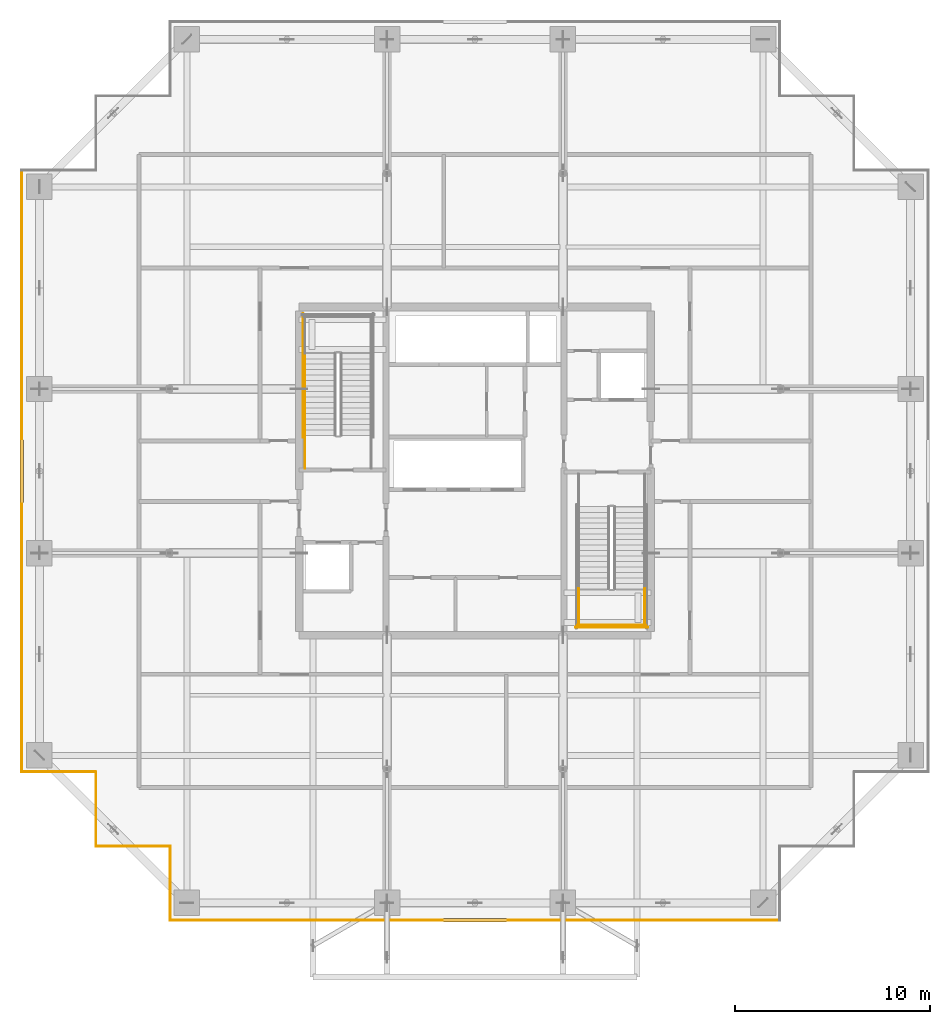
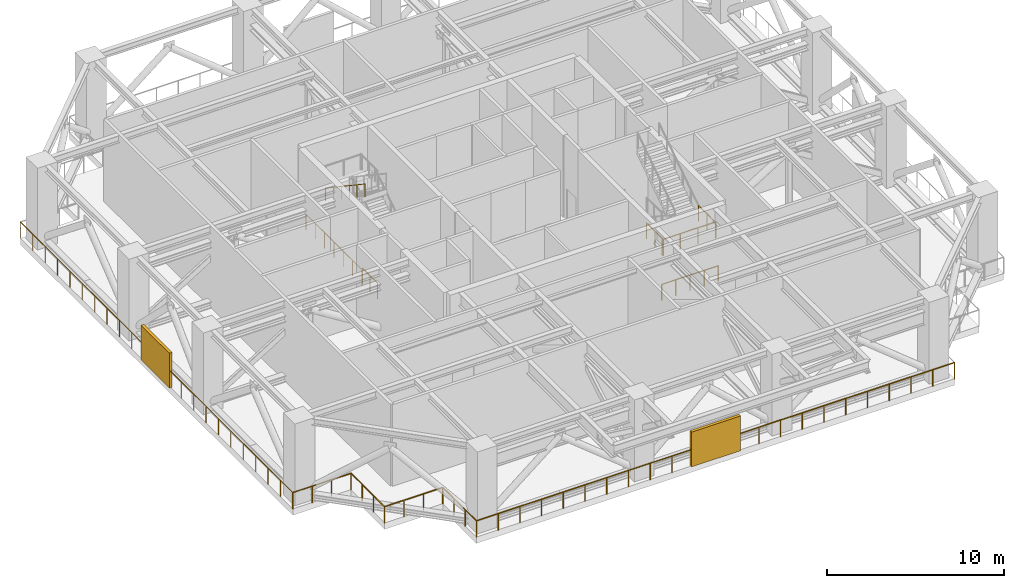
# One storey, part 20 of 22: 13 railings, 2 shading devices.
"""IFC4 building model written with IfcOpenShell, lengths in metres."""

from ifc_helpers import new_model, si_unit, direction, frame, origin, origin_2d, place, context, subcontext, project, spatial, rectangle, circle, extrude, source, transform, mapped, material, type_object, element, save


model = new_model("IFC4")

# Units and contexts
model_context = context("Model", 3, precision=1e-05, world=origin(), true_north=direction((0.0, 1.0)))
body_context = subcontext(model_context, "Body", "Model", "MODEL_VIEW")
ifc_project = project(units=[si_unit("LENGTHUNIT", "METRE"), si_unit("AREAUNIT", "SQUARE_METRE"), si_unit("VOLUMEUNIT", "CUBIC_METRE"), si_unit("PLANEANGLEUNIT", "RADIAN"), si_unit("MASSUNIT", "GRAM", prefix="KILO")], contexts=[model_context])

# Site, building, storey
site_placement = place(None, origin())
site = spatial("IfcSite", under=ifc_project, at=site_placement, CompositionType="ELEMENT")
building_placement = place(site_placement, origin())
building = spatial("IfcBuilding", under=site, at=building_placement, Name="Serunith Strait Residences", CompositionType="ELEMENT")
storey_placement = place(building_placement, frame((0.0, 0.0, 198.89990234375)))
storey = spatial("IfcBuildingStorey", under=building, at=storey_placement, Name="L50", CompositionType="ELEMENT", Elevation=198.89990234375)

# Railings
ifc_material_1 = material(Name="Brushed stainless steel 316L", Category="steel")
railing_type_1 = type_object("IfcRailingType", Name="RLG-STAIR-GUARD", PredefinedType="BALUSTRADE", material=ifc_material_1)
railing_1_placement = place(storey_placement, frame((23.699951171875, 25.35009765625, 0.0)))
element("IfcRailing", 1, at=railing_1_placement, inside=storey, type_object=railing_type_1, Name="L50 ST-1 stair guard 9", PredefinedType="BALUSTRADE", context=body_context, shape_type="SweptSolid", body=[
    extrude(circle(Radius=0.02392578125, at=origin_2d()), frame((0.0, 0.001953125, 1.076171875), z_axis=(0.0, 1.0, 0.0), x_axis=(-1.0, 0.0, 0.0)), (0.0, 0.0, 1.0), 1.676025390625),
    extrude(circle(Radius=0.02099609375, at=origin_2d()), origin(), (0.0, 0.0, 1.0), 1.050048828125),
    extrude(circle(Radius=0.02099609375, at=origin_2d()), frame((0.0, 0.83984375, 0.0)), (0.0, 0.0, 1.0), 1.050048828125),
    extrude(circle(Radius=0.02099609375, at=origin_2d()), frame((0.0, 1.679931640625, 0.0)), (0.0, 0.0, 1.0), 1.050048828125),
])
railing_2_placement = place(storey_placement, frame((23.60009765625, 26.929931640625, 0.0)))
element("IfcRailing", 2, at=railing_2_placement, inside=storey, type_object=railing_type_1, Name="L50 ST-1 stair guard 11", PredefinedType="BALUSTRADE", context=body_context, shape_type="SweptSolid", body=[
    extrude(circle(Radius=0.02392578125, at=origin_2d()), frame((0.0, 0.001953125, 1.076171875), z_axis=(0.0, 1.0, 0.0), x_axis=(-1.0, 0.0, 0.0)), (0.0, 0.0, 1.0), 6.316162109375),
    extrude(circle(Radius=0.02099609375, at=origin_2d()), origin(), (0.0, 0.0, 1.0), 1.050048828125),
    extrude(circle(Radius=0.02099609375, at=origin_2d()), frame((0.0, 1.05322265625, 0.0)), (0.0, 0.0, 1.0), 1.050048828125),
    extrude(circle(Radius=0.02099609375, at=origin_2d()), frame((0.0, 2.106689453125, 0.0)), (0.0, 0.0, 1.0), 1.050048828125),
    extrude(circle(Radius=0.02099609375, at=origin_2d()), frame((0.0, 3.16015625, 0.0)), (0.0, 0.0, 1.0), 1.050048828125),
    extrude(circle(Radius=0.02099609375, at=origin_2d()), frame((0.0, 4.21337890625, 0.0)), (0.0, 0.0, 1.0), 1.050048828125),
    extrude(circle(Radius=0.02099609375, at=origin_2d()), frame((0.0, 5.2666015625, 0.0)), (0.0, 0.0, 1.0), 1.050048828125),
    extrude(circle(Radius=0.02099609375, at=origin_2d()), frame((0.0, 6.320068359375, 0.0)), (0.0, 0.0, 1.0), 1.050048828125),
])
for number, where, name in (
    (3, (37.699951171875, 19.169921875, 3.0), "L50 ST-2 stair guard 3"),
    (4, (41.10009765625, 19.169921875, 3.0), "L50 ST-2 stair guard 4"),
):
    element("IfcRailing", number, at=place(storey_placement, frame(where)), inside=storey, type_object=railing_type_1, Name=name, PredefinedType="BALUSTRADE", context=body_context, shape_type="SweptSolid", body=[
        extrude(circle(Radius=0.02392578125, at=origin_2d()), frame((0.0, -0.001953125, 1.076171875), z_axis=(0.0, -1.0, 0.0), x_axis=(1.0, 0.0, 0.0)), (0.0, 0.0, 1.0), 1.916015625),
        extrude(circle(Radius=0.02099609375, at=origin_2d()), origin(), (0.0, 0.0, 1.0), 1.050048828125),
        extrude(circle(Radius=0.02099609375, at=origin_2d()), frame((0.0, -0.9599609375, 0.0)), (0.0, 0.0, 1.0), 1.050048828125),
        extrude(circle(Radius=0.02099609375, at=origin_2d()), frame((0.0, -1.919921875, 0.0)), (0.0, 0.0, 1.0), 1.050048828125),
    ])
railing_3_placement = place(storey_placement, frame((37.64990234375, 17.300048828125, 3.0)))
element("IfcRailing", 5, at=railing_3_placement, inside=storey, type_object=railing_type_1, Name="L50 ST-2 stair guard 5", PredefinedType="BALUSTRADE", context=body_context, shape_type="SweptSolid", body=[
    extrude(circle(Radius=0.02392578125, at=origin_2d()), frame((0.001953125, 0.0, 1.076171875), z_axis=(1.0, 0.0, 0.0), x_axis=(0.0, 1.0, 0.0)), (0.0, 0.0, 1.0), 3.49609375),
    extrude(circle(Radius=0.02099609375, at=origin_2d()), origin(), (0.0, 0.0, 1.0), 1.050048828125),
    extrude(circle(Radius=0.02099609375, at=origin_2d()), frame((1.166748046875, 0.0, 0.0)), (0.0, 0.0, 1.0), 1.050048828125),
    extrude(circle(Radius=0.02099609375, at=origin_2d()), frame((2.333251953125, 0.0, 0.0)), (0.0, 0.0, 1.0), 1.050048828125),
    extrude(circle(Radius=0.02099609375, at=origin_2d()), frame((3.5, 0.0, 0.0)), (0.0, 0.0, 1.0), 1.050048828125),
])
railing_4_placement = place(storey_placement, frame((37.550048828125, 17.199951171875, 0.0)))
element("IfcRailing", 6, at=railing_4_placement, inside=storey, type_object=railing_type_1, Name="L50 ST-2 stair guard 12", PredefinedType="BALUSTRADE", context=body_context, shape_type="SweptSolid", body=[
    extrude(circle(Radius=0.02392578125, at=origin_2d()), frame((0.001953125, 0.0, 1.076171875), z_axis=(1.0, 0.0, 0.0), x_axis=(0.0, 1.0, 0.0)), (0.0, 0.0, 1.0), 3.696044921875),
    extrude(circle(Radius=0.02099609375, at=origin_2d()), origin(), (0.0, 0.0, 1.0), 1.050048828125),
    extrude(circle(Radius=0.02099609375, at=origin_2d()), frame((0.925048828125, 0.0, 0.0)), (0.0, 0.0, 1.0), 1.050048828125),
    extrude(circle(Radius=0.02099609375, at=origin_2d()), frame((1.85009765625, 0.0, 0.0)), (0.0, 0.0, 1.0), 1.050048828125),
    extrude(circle(Radius=0.02099609375, at=origin_2d()), frame((2.77490234375, 0.0, 0.0)), (0.0, 0.0, 1.0), 1.050048828125),
    extrude(circle(Radius=0.02099609375, at=origin_2d()), frame((3.699951171875, 0.0, 0.0)), (0.0, 0.0, 1.0), 1.050048828125),
])
railing_type_2 = type_object("IfcRailingType", Name="RLG-STAIR-HR", PredefinedType="HANDRAIL", material=ifc_material_1)
railing_5_placement = place(storey_placement, frame((23.699951171875, 31.22998046875, 3.1875)))
element("IfcRailing", 7, at=railing_5_placement, inside=storey, type_object=railing_type_2, Name="L50 ST-1 stair handrail 2", PredefinedType="HANDRAIL", context=body_context, shape_type="SweptSolid", body=[
    extrude(circle(Radius=0.02392578125, at=origin_2d()), frame((0.0, -0.001708984375, 0.876953125), z_axis=(0.0, -0.830466402242, 0.55706871636), x_axis=(1.0, 0.0, 0.0)), (0.0, 0.0, 1.0), 5.390625),
    extrude(circle(Radius=0.02099609375, at=origin_2d()), origin(), (0.0, 0.0, 1.0), 0.849853515625),
    extrude(circle(Radius=0.02099609375, at=origin_2d()), frame((0.0, -0.89599609375, 0.60107421875)), (0.0, 0.0, 1.0), 0.849853515625),
    extrude(circle(Radius=0.02099609375, at=origin_2d()), frame((0.0, -1.7919921875, 1.2021484375)), (0.0, 0.0, 1.0), 0.849853515625),
    extrude(circle(Radius=0.02099609375, at=origin_2d()), frame((0.0, -2.68798828125, 1.802978515625)), (0.0, 0.0, 1.0), 0.849853515625),
    extrude(circle(Radius=0.02099609375, at=origin_2d()), frame((0.0, -3.583984375, 2.404052734375)), (0.0, 0.0, 1.0), 0.849853515625),
    extrude(circle(Radius=0.02099609375, at=origin_2d()), frame((0.0, -4.47998046875, 3.005126953125)), (0.0, 0.0, 1.0), 0.849853515625),
])
ifc_material_2 = material(Name="Anodised Aluminium Wind-Floor Safety Guard", Category="aluminium")
railing_type_3 = type_object("IfcRailingType", Name="RLG-WIND-1150", PredefinedType="BALUSTRADE", material=ifc_material_2)
railing_6_placement = place(storey_placement, frame((16.800048828125, 2.199951171875, 0.0)))
element("IfcRailing", 8, at=railing_6_placement, inside=storey, type_object=railing_type_3, Name="L50 Porous Wind-Floor Safety Balustrade 01", PredefinedType="BALUSTRADE", context=body_context, shape_type="SweptSolid", body=[
    extrude(circle(Radius=0.02392578125, at=origin_2d()), frame((0.001953125, 0.0, 1.1259765625), z_axis=(1.0, 0.0, 0.0), x_axis=(0.0, 1.0, 0.0)), (0.0, 0.0, 1.0), 31.196044921875),
    extrude(circle(Radius=0.02099609375, at=origin_2d()), origin(), (0.0, 0.0, 1.0), 1.099853515625),
    extrude(circle(Radius=0.02099609375, at=origin_2d()), frame((1.418212890625, 0.0, 0.0)), (0.0, 0.0, 1.0), 1.099853515625),
    extrude(circle(Radius=0.02099609375, at=origin_2d()), frame((2.83642578125, 0.0, 0.0)), (0.0, 0.0, 1.0), 1.099853515625),
    extrude(circle(Radius=0.02099609375, at=origin_2d()), frame((4.254638671875, 0.0, 0.0)), (0.0, 0.0, 1.0), 1.099853515625),
    extrude(circle(Radius=0.02099609375, at=origin_2d()), frame((5.672607421875, 0.0, 0.0)), (0.0, 0.0, 1.0), 1.099853515625),
    extrude(circle(Radius=0.02099609375, at=origin_2d()), frame((7.0908203125, 0.0, 0.0)), (0.0, 0.0, 1.0), 1.099853515625),
    extrude(circle(Radius=0.02099609375, at=origin_2d()), frame((8.509033203125, 0.0, 0.0)), (0.0, 0.0, 1.0), 1.099853515625),
    extrude(circle(Radius=0.02099609375, at=origin_2d()), frame((9.92724609375, 0.0, 0.0)), (0.0, 0.0, 1.0), 1.099853515625),
    extrude(circle(Radius=0.02099609375, at=origin_2d()), frame((11.345458984375, 0.0, 0.0)), (0.0, 0.0, 1.0), 1.099853515625),
    extrude(circle(Radius=0.02099609375, at=origin_2d()), frame((12.763671875, 0.0, 0.0)), (0.0, 0.0, 1.0), 1.099853515625),
    extrude(circle(Radius=0.02099609375, at=origin_2d()), frame((14.181884765625, 0.0, 0.0)), (0.0, 0.0, 1.0), 1.099853515625),
    extrude(circle(Radius=0.02099609375, at=origin_2d()), frame((15.60009765625, 0.0, 0.0)), (0.0, 0.0, 1.0), 1.099853515625),
    extrude(circle(Radius=0.02099609375, at=origin_2d()), frame((17.01806640625, 0.0, 0.0)), (0.0, 0.0, 1.0), 1.099853515625),
    extrude(circle(Radius=0.02099609375, at=origin_2d()), frame((18.436279296875, 0.0, 0.0)), (0.0, 0.0, 1.0), 1.099853515625),
    extrude(circle(Radius=0.02099609375, at=origin_2d()), frame((19.8544921875, 0.0, 0.0)), (0.0, 0.0, 1.0), 1.099853515625),
    extrude(circle(Radius=0.02099609375, at=origin_2d()), frame((21.272705078125, 0.0, 0.0)), (0.0, 0.0, 1.0), 1.099853515625),
    extrude(circle(Radius=0.02099609375, at=origin_2d()), frame((22.69091796875, 0.0, 0.0)), (0.0, 0.0, 1.0), 1.099853515625),
    extrude(circle(Radius=0.02099609375, at=origin_2d()), frame((24.109130859375, 0.0, 0.0)), (0.0, 0.0, 1.0), 1.099853515625),
    extrude(circle(Radius=0.02099609375, at=origin_2d()), frame((25.52734375, 0.0, 0.0)), (0.0, 0.0, 1.0), 1.099853515625),
    extrude(circle(Radius=0.02099609375, at=origin_2d()), frame((26.9453125, 0.0, 0.0)), (0.0, 0.0, 1.0), 1.099853515625),
    extrude(circle(Radius=0.02099609375, at=origin_2d()), frame((28.363525390625, 0.0, 0.0)), (0.0, 0.0, 1.0), 1.099853515625),
    extrude(circle(Radius=0.02099609375, at=origin_2d()), frame((29.78173828125, 0.0, 0.0)), (0.0, 0.0, 1.0), 1.099853515625),
    extrude(circle(Radius=0.02099609375, at=origin_2d()), frame((31.199951171875, 0.0, 0.0)), (0.0, 0.0, 1.0), 1.099853515625),
])
railing_7_placement = place(storey_placement, frame((9.199951171875, 40.60009765625, 0.0)))
element("IfcRailing", 9, at=railing_7_placement, inside=storey, type_object=railing_type_3, Name="L50 Porous Wind-Floor Safety Balustrade 16", PredefinedType="BALUSTRADE", context=body_context, shape_type="SweptSolid", body=[
    extrude(circle(Radius=0.02392578125, at=origin_2d()), frame((0.0, -0.001953125, 1.1259765625), z_axis=(0.0, -1.0, 0.0), x_axis=(1.0, 0.0, 0.0)), (0.0, 0.0, 1.0), 30.796142578125),
    extrude(circle(Radius=0.02099609375, at=origin_2d()), origin(), (0.0, 0.0, 1.0), 1.099853515625),
    extrude(circle(Radius=0.02099609375, at=origin_2d()), frame((0.0, -1.39990234375, 0.0)), (0.0, 0.0, 1.0), 1.099853515625),
    extrude(circle(Radius=0.02099609375, at=origin_2d()), frame((0.0, -2.800048828125, 0.0)), (0.0, 0.0, 1.0), 1.099853515625),
    extrude(circle(Radius=0.02099609375, at=origin_2d()), frame((0.0, -4.199951171875, 0.0)), (0.0, 0.0, 1.0), 1.099853515625),
    extrude(circle(Radius=0.02099609375, at=origin_2d()), frame((0.0, -5.60009765625, 0.0)), (0.0, 0.0, 1.0), 1.099853515625),
    extrude(circle(Radius=0.02099609375, at=origin_2d()), frame((0.0, -7.0, 0.0)), (0.0, 0.0, 1.0), 1.099853515625),
    extrude(circle(Radius=0.02099609375, at=origin_2d()), frame((0.0, -8.39990234375, 0.0)), (0.0, 0.0, 1.0), 1.099853515625),
    extrude(circle(Radius=0.02099609375, at=origin_2d()), frame((0.0, -9.800048828125, 0.0)), (0.0, 0.0, 1.0), 1.099853515625),
    extrude(circle(Radius=0.02099609375, at=origin_2d()), frame((0.0, -11.199951171875, 0.0)), (0.0, 0.0, 1.0), 1.099853515625),
    extrude(circle(Radius=0.02099609375, at=origin_2d()), frame((0.0, -12.60009765625, 0.0)), (0.0, 0.0, 1.0), 1.099853515625),
    extrude(circle(Radius=0.02099609375, at=origin_2d()), frame((0.0, -14.0, 0.0)), (0.0, 0.0, 1.0), 1.099853515625),
    extrude(circle(Radius=0.02099609375, at=origin_2d()), frame((0.0, -15.39990234375, 0.0)), (0.0, 0.0, 1.0), 1.099853515625),
    extrude(circle(Radius=0.02099609375, at=origin_2d()), frame((0.0, -16.800048828125, 0.0)), (0.0, 0.0, 1.0), 1.099853515625),
    extrude(circle(Radius=0.02099609375, at=origin_2d()), frame((0.0, -18.199951171875, 0.0)), (0.0, 0.0, 1.0), 1.099853515625),
    extrude(circle(Radius=0.02099609375, at=origin_2d()), frame((0.0, -19.60009765625, 0.0)), (0.0, 0.0, 1.0), 1.099853515625),
    extrude(circle(Radius=0.02099609375, at=origin_2d()), frame((0.0, -21.0, 0.0)), (0.0, 0.0, 1.0), 1.099853515625),
    extrude(circle(Radius=0.02099609375, at=origin_2d()), frame((0.0, -22.400146484375, 0.0)), (0.0, 0.0, 1.0), 1.099853515625),
    extrude(circle(Radius=0.02099609375, at=origin_2d()), frame((0.0, -23.800048828125, 0.0)), (0.0, 0.0, 1.0), 1.099853515625),
    extrude(circle(Radius=0.02099609375, at=origin_2d()), frame((0.0, -25.199951171875, 0.0)), (0.0, 0.0, 1.0), 1.099853515625),
    extrude(circle(Radius=0.02099609375, at=origin_2d()), frame((0.0, -26.60009765625, 0.0)), (0.0, 0.0, 1.0), 1.099853515625),
    extrude(circle(Radius=0.02099609375, at=origin_2d()), frame((0.0, -28.0, 0.0)), (0.0, 0.0, 1.0), 1.099853515625),
    extrude(circle(Radius=0.02099609375, at=origin_2d()), frame((0.0, -29.400146484375, 0.0)), (0.0, 0.0, 1.0), 1.099853515625),
    extrude(circle(Radius=0.02099609375, at=origin_2d()), frame((0.0, -30.800048828125, 0.0)), (0.0, 0.0, 1.0), 1.099853515625),
])
railing_8_placement = place(storey_placement, frame((9.199951171875, 9.800048828125, 0.0)))
element("IfcRailing", 10, at=railing_8_placement, inside=storey, type_object=railing_type_3, Name="L50 Porous Wind-Floor Safety Balustrade 17", PredefinedType="BALUSTRADE", context=body_context, shape_type="SweptSolid", body=[
    extrude(circle(Radius=0.02392578125, at=origin_2d()), frame((0.001953125, 0.0, 1.1259765625), z_axis=(1.0, 0.0, 0.0), x_axis=(0.0, 1.0, 0.0)), (0.0, 0.0, 1.0), 3.796142578125),
    extrude(circle(Radius=0.02099609375, at=origin_2d()), origin(), (0.0, 0.0, 1.0), 1.099853515625),
    extrude(circle(Radius=0.02099609375, at=origin_2d()), frame((1.2666015625, 0.0, 0.0)), (0.0, 0.0, 1.0), 1.099853515625),
    extrude(circle(Radius=0.02099609375, at=origin_2d()), frame((2.533447265625, 0.0, 0.0)), (0.0, 0.0, 1.0), 1.099853515625),
    extrude(circle(Radius=0.02099609375, at=origin_2d()), frame((3.800048828125, 0.0, 0.0)), (0.0, 0.0, 1.0), 1.099853515625),
])
railing_9_placement = place(storey_placement, frame((13.0, 9.800048828125, 0.0)))
element("IfcRailing", 11, at=railing_9_placement, inside=storey, type_object=railing_type_3, Name="L50 Porous Wind-Floor Safety Balustrade 18", PredefinedType="BALUSTRADE", context=body_context, shape_type="SweptSolid", body=[
    extrude(circle(Radius=0.02392578125, at=origin_2d()), frame((0.0, -0.001953125, 1.1259765625), z_axis=(0.0, -1.0, 0.0), x_axis=(1.0, 0.0, 0.0)), (0.0, 0.0, 1.0), 3.796142578125),
    extrude(circle(Radius=0.02099609375, at=origin_2d()), origin(), (0.0, 0.0, 1.0), 1.099853515625),
    extrude(circle(Radius=0.02099609375, at=origin_2d()), frame((0.0, -1.2666015625, 0.0)), (0.0, 0.0, 1.0), 1.099853515625),
    extrude(circle(Radius=0.02099609375, at=origin_2d()), frame((0.0, -2.533447265625, 0.0)), (0.0, 0.0, 1.0), 1.099853515625),
    extrude(circle(Radius=0.02099609375, at=origin_2d()), frame((0.0, -3.800048828125, 0.0)), (0.0, 0.0, 1.0), 1.099853515625),
])
railing_10_placement = place(storey_placement, frame((13.0, 6.0, 0.0)))
element("IfcRailing", 12, at=railing_10_placement, inside=storey, type_object=railing_type_3, Name="L50 Porous Wind-Floor Safety Balustrade 19", PredefinedType="BALUSTRADE", context=body_context, shape_type="SweptSolid", body=[
    extrude(circle(Radius=0.02392578125, at=origin_2d()), frame((0.001953125, 0.0, 1.1259765625), z_axis=(1.0, 0.0, 0.0), x_axis=(0.0, 1.0, 0.0)), (0.0, 0.0, 1.0), 3.796142578125),
    extrude(circle(Radius=0.02099609375, at=origin_2d()), origin(), (0.0, 0.0, 1.0), 1.099853515625),
    extrude(circle(Radius=0.02099609375, at=origin_2d()), frame((1.2666015625, 0.0, 0.0)), (0.0, 0.0, 1.0), 1.099853515625),
    extrude(circle(Radius=0.02099609375, at=origin_2d()), frame((2.533447265625, 0.0, 0.0)), (0.0, 0.0, 1.0), 1.099853515625),
    extrude(circle(Radius=0.02099609375, at=origin_2d()), frame((3.800048828125, 0.0, 0.0)), (0.0, 0.0, 1.0), 1.099853515625),
])
railing_11_placement = place(storey_placement, frame((16.800048828125, 6.0, 0.0)))
element("IfcRailing", 13, at=railing_11_placement, inside=storey, type_object=railing_type_3, Name="L50 Porous Wind-Floor Safety Balustrade 20", PredefinedType="BALUSTRADE", context=body_context, shape_type="SweptSolid", body=[
    extrude(circle(Radius=0.02392578125, at=origin_2d()), frame((0.0, -0.001953125, 1.1259765625), z_axis=(0.0, -1.0, 0.0), x_axis=(1.0, 0.0, 0.0)), (0.0, 0.0, 1.0), 3.796142578125),
    extrude(circle(Radius=0.02099609375, at=origin_2d()), origin(), (0.0, 0.0, 1.0), 1.099853515625),
    extrude(circle(Radius=0.02099609375, at=origin_2d()), frame((0.0, -1.2666015625, 0.0)), (0.0, 0.0, 1.0), 1.099853515625),
    extrude(circle(Radius=0.02099609375, at=origin_2d()), frame((0.0, -2.533447265625, 0.0)), (0.0, 0.0, 1.0), 1.099853515625),
    extrude(circle(Radius=0.02099609375, at=origin_2d()), frame((0.0, -3.800048828125, 0.0)), (0.0, 0.0, 1.0), 1.099853515625),
])

# Shading devices
ifc_material_3 = material(Name="Anodised Aluminium Acoustic Storm Louvre", Category="aluminium")
shading_device_type = type_object("IfcShadingDeviceType", Name="SHD-WIND-LOUV", PredefinedType="JALOUSIE", material=ifc_material_3)
shared_shape = source(origin(), body_context, "Body", "SweptSolid", [
    extrude(rectangle(XDim=3.199951171875, YDim=0.179931640625, at=origin_2d()), origin(), (0.0, 0.0, 1.0), 2.39990234375),
])
for number, where, z_axis, x_axis, name in (
    (14, (32.39990234375, 2.199951171875, 0.000244140625), (0.0, 0.0, 1.0), (1.0, 0.0, 0.0), "L50 Acoustic Wind-Floor Louvre S"),
    (15, (9.199951171875, 25.199951171875, 0.000244140625), (0.0, 0.0, 1.0), (0.0, 1.0, 0.0), "L50 Acoustic Wind-Floor Louvre W"),
):
    element("IfcShadingDevice", number, at=place(storey_placement, frame(where, z_axis=z_axis, x_axis=x_axis)), inside=storey, type_object=shading_device_type, Name=name, PredefinedType="JALOUSIE", context=body_context, shape_type="MappedRepresentation", body=[
        mapped(shared_shape, transform((0.0, 0.0, 0.0), scale=1.0)),
    ])

save(model, "model.ifc")
